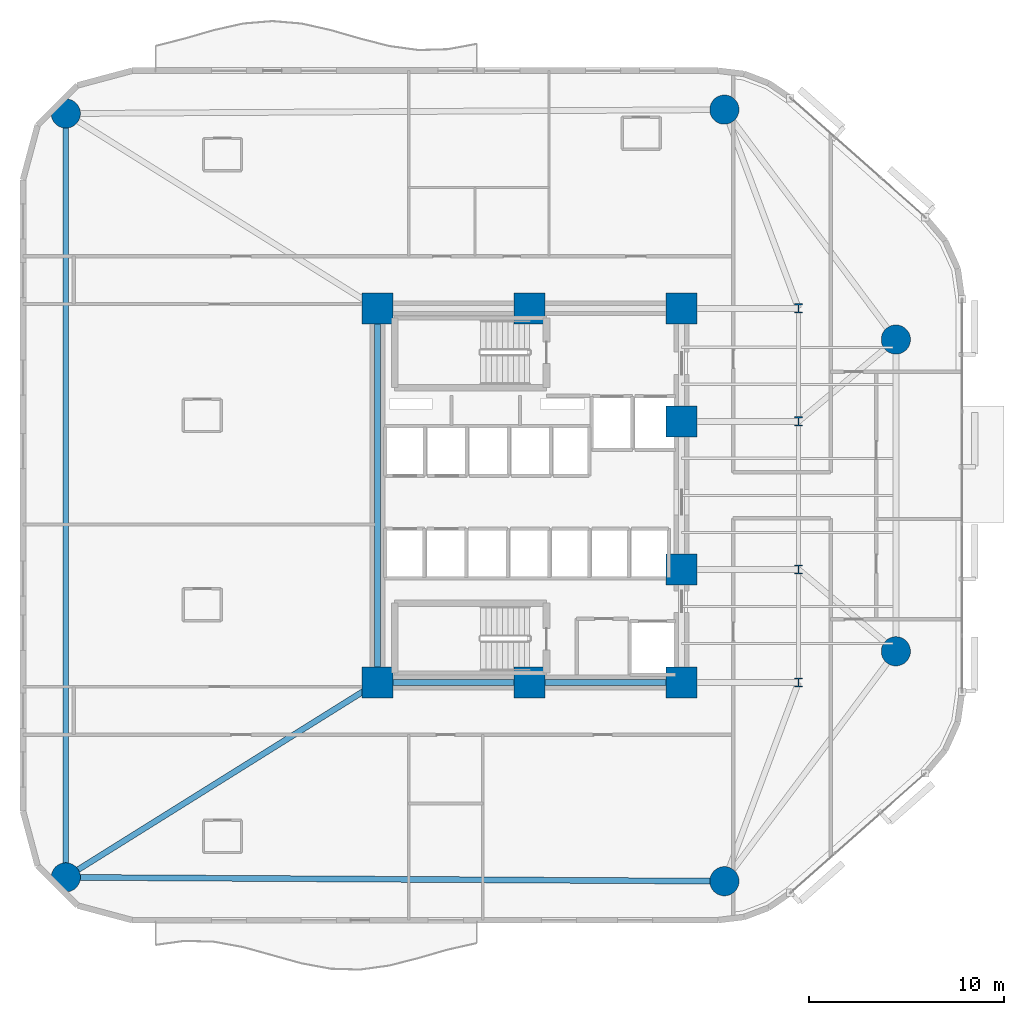
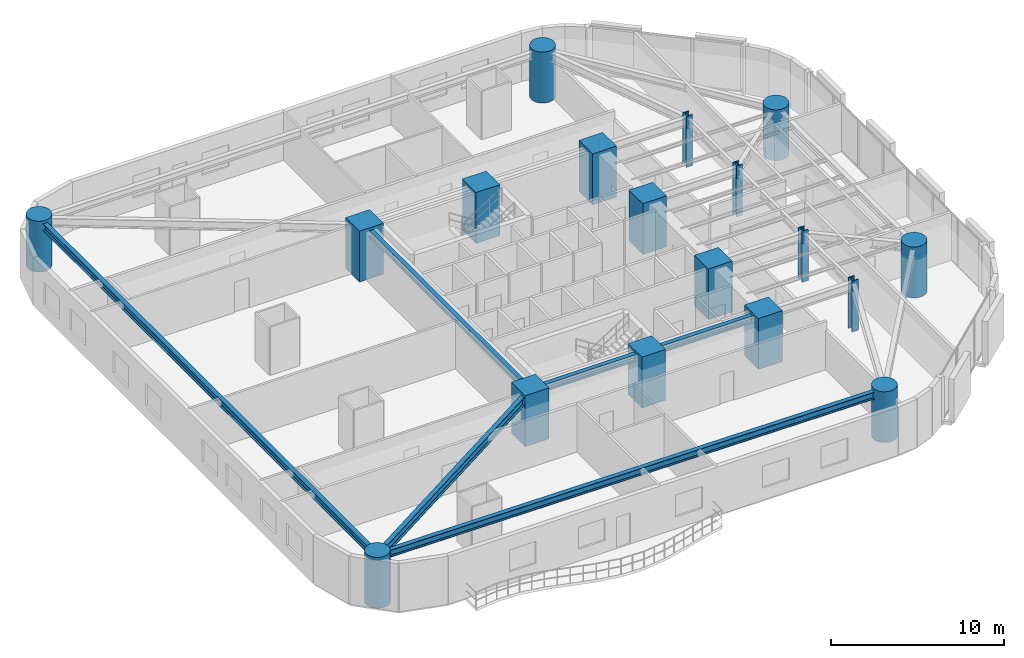
# One storey, part 1 of 16: 18 columns, 5 beams.
"""IFC4 building model written with IfcOpenShell, lengths in metres."""

from ifc_helpers import new_model, si_unit, direction, frame, origin, origin_2d, place, context, subcontext, project, spatial, rectangle, circle, i_section, extrude, material, material_profile, profile_set, type_object, element, save


model = new_model("IFC4")

# Units and contexts
model_context = context("Model", 3, precision=1e-05, world=origin(), true_north=direction((0.0, 1.0)))
body_context = subcontext(model_context, "Body", "Model", "MODEL_VIEW")
ifc_project = project(units=[si_unit("LENGTHUNIT", "METRE"), si_unit("AREAUNIT", "SQUARE_METRE"), si_unit("VOLUMEUNIT", "CUBIC_METRE"), si_unit("PLANEANGLEUNIT", "RADIAN"), si_unit("MASSUNIT", "GRAM", prefix="KILO")], contexts=[model_context])

# Site, building, storey
site_placement = place(None, origin())
site = spatial("IfcSite", under=ifc_project, at=site_placement, CompositionType="ELEMENT")
building_placement = place(site_placement, origin())
building = spatial("IfcBuilding", under=site, at=building_placement, Name="An Khanh Terracotta Commons", CompositionType="ELEMENT")
storey_placement = place(building_placement, frame((0.0, 0.0, 50.39990234375)))
storey = spatial("IfcBuildingStorey", under=building, at=storey_placement, Name="L13", CompositionType="ELEMENT", Elevation=50.39990234375)

# Columns
ifc_material_1 = material(Name="Concrete C70/85", Category="concrete")
ifc_material_profile_1 = material_profile(ifc_material_1, circle(Radius=0.75, at=origin_2d()), Name="CFST1500")
ifc_profile_set_1 = profile_set([ifc_material_profile_1], Name="Concrete C70/85")
column_type_1 = type_object("IfcColumnType", Name="COL-CFST1500", PredefinedType="COLUMN", material=ifc_profile_set_1)
for number, where, z_axis, x_axis, name in (
    (1, (5.60009765625, 4.39990234375, 0.0), (0.0, 0.0, 1.0), (1.0, 0.0, 0.0), "L13 Perimeter CFST Mega-Column MC-01"),
    (2, (39.39990234375, 4.199951171875, 0.0), (0.0, 0.0, 1.0), (1.0, 0.0, 0.0), "L13 Perimeter CFST Mega-Column MC-02"),
    (3, (48.199951171875, 16.0, 0.0), (0.0, 0.0, 1.0), (1.0, 0.0, 0.0), "L13 Perimeter CFST Mega-Column MC-03"),
    (4, (48.199951171875, 32.0, 0.0), (0.0, 0.0, 1.0), (1.0, 0.0, 0.0), "L13 Perimeter CFST Mega-Column MC-04"),
    (5, (39.39990234375, 43.800048828125, 0.0), (0.0, 0.0, 1.0), (1.0, 0.0, 0.0), "L13 Perimeter CFST Mega-Column MC-05"),
    (6, (5.60009765625, 43.60009765625, 0.0), (0.0, 0.0, 1.0), (1.0, 0.0, 0.0), "L13 Perimeter CFST Mega-Column MC-06"),
):
    element("IfcColumn", number, at=place(storey_placement, frame(where, z_axis=z_axis, x_axis=x_axis)), inside=storey, type_object=column_type_1, Name=name, PredefinedType="COLUMN", context=body_context, shape_type="SweptSolid", body=[
        extrude(circle(Radius=0.75, at=origin_2d()), origin(), (0.0, 0.0, 1.0), 3.60009765625),
    ])
ifc_material_2 = material(Name="Steel S460ML", Category="steel")
ifc_material_profile_2 = material_profile(ifc_material_2, i_section(OverallWidth=0.4169921875, OverallDepth=0.47705078125, WebThickness=0.035888671875, FlangeThickness=0.057373046875, FilletRadius=0.014892578125, at=origin_2d()), Name="HD400x463")
ifc_profile_set_2 = profile_set([ifc_material_profile_2], Name="Steel S460ML")
column_type_2 = type_object("IfcColumnType", Name="COL-HD400x463", PredefinedType="COLUMN", material=ifc_profile_set_2)
for number, where, z_axis, x_axis, name in (
    (7, (43.199951171875, 14.39990234375, 0.0), (0.0, 0.0, 1.0), (1.0, 0.0, 0.0), "L13 Interior Frame Column TC-01"),
    (8, (43.199951171875, 20.199951171875, 0.0), (0.0, 0.0, 1.0), (1.0, 0.0, 0.0), "L13 Interior Frame Column TC-02"),
    (9, (43.199951171875, 27.800048828125, 0.0), (0.0, 0.0, 1.0), (1.0, 0.0, 0.0), "L13 Interior Frame Column TC-03"),
    (10, (43.199951171875, 33.60009765625, 0.0), (0.0, 0.0, 1.0), (1.0, 0.0, 0.0), "L13 Interior Frame Column TC-04"),
):
    element("IfcColumn", number, at=place(storey_placement, frame(where, z_axis=z_axis, x_axis=x_axis)), inside=storey, type_object=column_type_2, Name=name, PredefinedType="COLUMN", context=body_context, shape_type="SweptSolid", body=[
        extrude(i_section(OverallWidth=0.4169921875, OverallDepth=0.47705078125, WebThickness=0.035888671875, FlangeThickness=0.057373046875, FilletRadius=0.014892578125, at=origin_2d()), origin(), (0.0, 0.0, 1.0), 3.60009765625),
    ])
ifc_material_profile_3 = material_profile(ifc_material_1, rectangle(XDim=1.60009765625, YDim=1.60009765625, at=origin_2d()), Name="RC1600x1600")
ifc_profile_set_3 = profile_set([ifc_material_profile_3], Name="Concrete C70/85")
column_type_3 = type_object("IfcColumnType", Name="COL-RC1600x1600", PredefinedType="COLUMN", material=ifc_profile_set_3)
for number, where, z_axis, x_axis, name in (
    (11, (21.60009765625, 14.39990234375, 0.0), (0.0, 0.0, 1.0), (1.0, 0.0, 0.0), "L13 Core Boundary Column CC-01"),
    (12, (29.39990234375, 14.39990234375, 0.0), (0.0, 0.0, 1.0), (1.0, 0.0, 0.0), "L13 Core Boundary Column CC-02"),
    (13, (37.199951171875, 14.39990234375, 0.0), (0.0, 0.0, 1.0), (1.0, 0.0, 0.0), "L13 Core Boundary Column CC-03"),
    (14, (37.199951171875, 20.199951171875, 0.0), (0.0, 0.0, 1.0), (1.0, 0.0, 0.0), "L13 Core Boundary Column CC-04"),
    (15, (37.199951171875, 27.800048828125, 0.0), (0.0, 0.0, 1.0), (1.0, 0.0, 0.0), "L13 Core Boundary Column CC-05"),
    (16, (37.199951171875, 33.60009765625, 0.0), (0.0, 0.0, 1.0), (1.0, 0.0, 0.0), "L13 Core Boundary Column CC-06"),
    (17, (29.39990234375, 33.60009765625, 0.0), (0.0, 0.0, 1.0), (1.0, 0.0, 0.0), "L13 Core Boundary Column CC-07"),
    (18, (21.60009765625, 33.60009765625, 0.0), (0.0, 0.0, 1.0), (1.0, 0.0, 0.0), "L13 Core Boundary Column CC-08"),
):
    element("IfcColumn", number, at=place(storey_placement, frame(where, z_axis=z_axis, x_axis=x_axis)), inside=storey, type_object=column_type_3, Name=name, PredefinedType="COLUMN", context=body_context, shape_type="SweptSolid", body=[
        extrude(rectangle(XDim=1.60009765625, YDim=1.60009765625, at=origin_2d()), origin(), (0.0, 0.0, 1.0), 3.60009765625),
    ])

# Beams
ifc_material_3 = material(Name="Steel S355J2", Category="steel")
ifc_material_profile_4 = material_profile(ifc_material_3, i_section(OverallWidth=0.300048828125, OverallDepth=0.449951171875, WebThickness=0.013916015625, FlangeThickness=0.02587890625, FilletRadius=0.027099609375, at=origin_2d()), Name="HEB450")
ifc_profile_set_4 = profile_set([ifc_material_profile_4], Name="Steel S355J2")
beam_type_1 = type_object("IfcBeamType", Name="BM-HEB450", PredefinedType="BEAM", material=ifc_profile_set_4)
beam_1_placement = place(storey_placement, frame((21.60009765625, 14.39990234375, 3.175048828125), z_axis=(0.0, 1.0, 0.0), x_axis=(-1.0, 0.0, 0.0)))
element("IfcBeam", 19, at=beam_1_placement, inside=storey, type_object=beam_type_1, Name="L13 Core West Coupling Girder", PredefinedType="BEAM", context=body_context, shape_type="SweptSolid", body=[
    extrude(i_section(OverallWidth=0.300048828125, OverallDepth=0.449951171875, WebThickness=0.013916015625, FlangeThickness=0.02587890625, FilletRadius=0.027099609375, at=origin_2d()), origin(), (0.0, 0.0, 1.0), 19.2001953125),
])
ifc_material_profile_5 = material_profile(ifc_material_3, i_section(OverallWidth=0.300048828125, OverallDepth=0.5, WebThickness=0.014404296875, FlangeThickness=0.028076171875, FilletRadius=0.027099609375, at=origin_2d()), Name="HEB500")
ifc_profile_set_5 = profile_set([ifc_material_profile_5], Name="Steel S355J2")
beam_type_2 = type_object("IfcBeamType", Name="BM-HEB500", PredefinedType="BEAM", material=ifc_profile_set_5)
beam_2_placement = place(storey_placement, frame((21.60009765625, 14.39990234375, 3.150146484375), z_axis=(1.0, 0.0, 0.0), x_axis=(0.0, 1.0, 0.0)))
element("IfcBeam", 20, at=beam_2_placement, inside=storey, type_object=beam_type_2, Name="L13 Core South Coupling Girder", PredefinedType="BEAM", context=body_context, shape_type="SweptSolid", body=[
    extrude(i_section(OverallWidth=0.300048828125, OverallDepth=0.5, WebThickness=0.014404296875, FlangeThickness=0.028076171875, FilletRadius=0.027099609375, at=origin_2d()), origin(), (0.0, 0.0, 1.0), 15.599853515625),
])
beam_3_placement = place(storey_placement, frame((5.60009765625, 4.39990234375, 3.150146484375), z_axis=(0.999982502414, -0.005915645817, 0.0), x_axis=(0.005915645817, 0.999982502414, 0.0)))
element("IfcBeam", 21, at=beam_3_placement, inside=storey, type_object=beam_type_2, Name="L13 Perimeter Ring Spandrel 1", PredefinedType="BEAM", context=body_context, shape_type="SweptSolid", body=[
    extrude(i_section(OverallWidth=0.300048828125, OverallDepth=0.5, WebThickness=0.014404296875, FlangeThickness=0.028076171875, FilletRadius=0.027099609375, at=origin_2d()), origin(), (0.0, 0.0, 1.0), 33.80029296875),
])
beam_4_placement = place(storey_placement, frame((5.60009765625, 43.60009765625, 3.150146484375), z_axis=(0.0, -1.0, 0.0), x_axis=(1.0, 0.0, 0.0)))
element("IfcBeam", 22, at=beam_4_placement, inside=storey, type_object=beam_type_2, Name="L13 Perimeter Ring Spandrel 6", PredefinedType="BEAM", context=body_context, shape_type="SweptSolid", body=[
    extrude(i_section(OverallWidth=0.300048828125, OverallDepth=0.5, WebThickness=0.014404296875, FlangeThickness=0.028076171875, FilletRadius=0.027099609375, at=origin_2d()), origin(), (0.0, 0.0, 1.0), 39.2001953125),
])
ifc_material_profile_6 = material_profile(ifc_material_3, i_section(OverallWidth=0.300048828125, OverallDepth=0.60009765625, WebThickness=0.015380859375, FlangeThickness=0.030029296875, FilletRadius=0.027099609375, at=origin_2d()), Name="HEB600")
ifc_profile_set_6 = profile_set([ifc_material_profile_6], Name="Steel S355J2")
beam_type_3 = type_object("IfcBeamType", Name="BM-HEB600", PredefinedType="BEAM", material=ifc_profile_set_6)
beam_5_placement = place(storey_placement, frame((5.60009765625, 4.39990234375, 3.10009765625), z_axis=(0.847998304005, 0.529998940003, 0.0), x_axis=(-0.529998940003, 0.847998304005, 0.0)))
element("IfcBeam", 23, at=beam_5_placement, inside=storey, type_object=beam_type_3, Name="L13 Mega-Column Tie Girder 1", PredefinedType="BEAM", context=body_context, shape_type="SweptSolid", body=[
    extrude(i_section(OverallWidth=0.300048828125, OverallDepth=0.60009765625, WebThickness=0.015380859375, FlangeThickness=0.030029296875, FilletRadius=0.027099609375, at=origin_2d()), origin(), (0.0, 0.0, 1.0), 18.867919921875),
])

save(model, "model.ifc")
